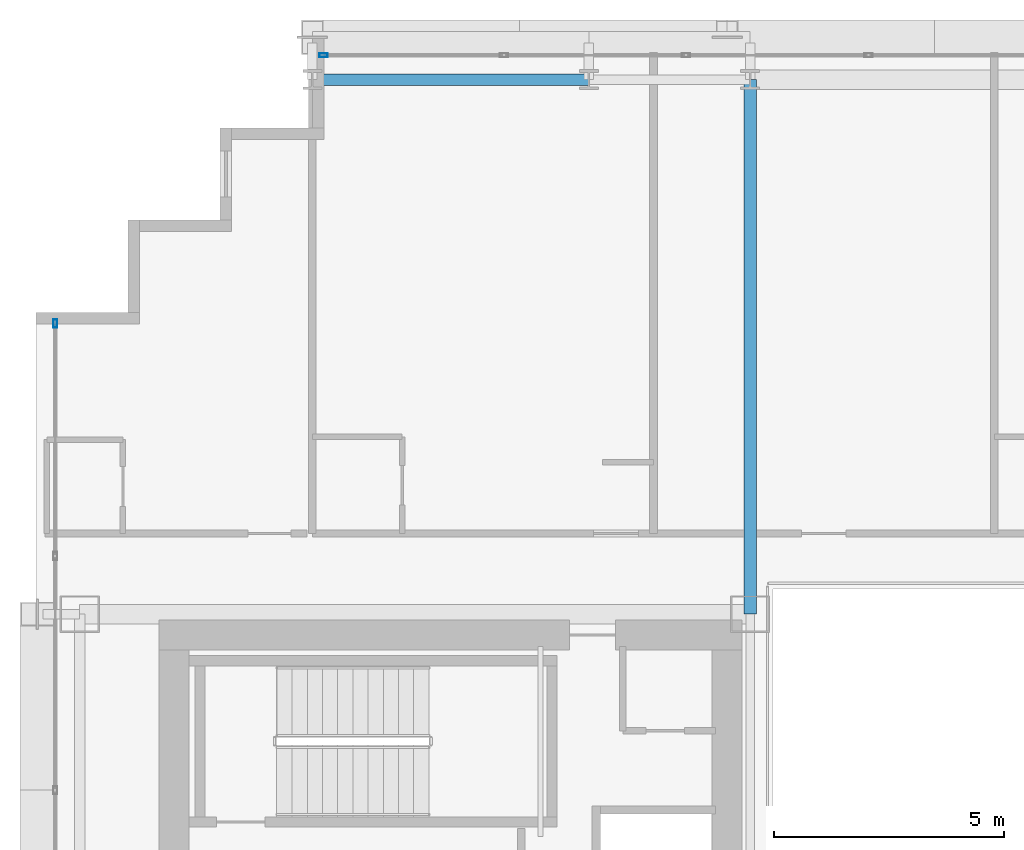
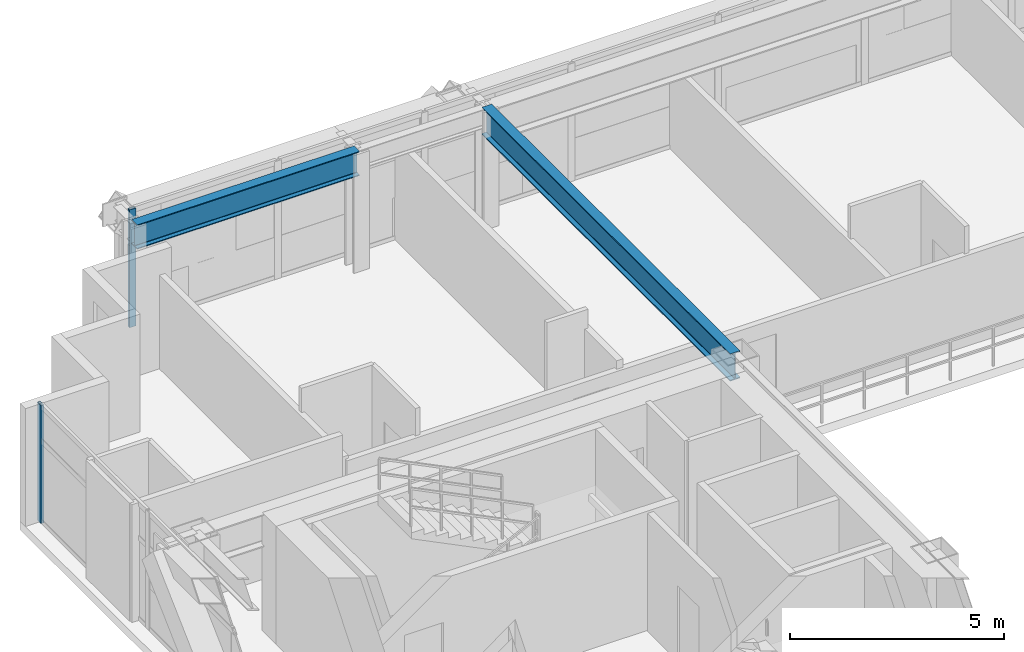
# One storey, part 17 of 35: 2 beams, 2 members, 2 elements without a shape of their own.
"""IFC4 building model written with IfcOpenShell, lengths in metres."""

from ifc_helpers import new_model, si_unit, direction, frame, origin, origin_2d, place, context, subcontext, project, spatial, hollow_rectangle, i_section, extrude, source, transform, mapped, material, layer, layer_set, material_profile, profile_set, type_object, element, aggregate, save


model = new_model("IFC4")

# Units and contexts
model_context = context("Model", 3, precision=1e-05, world=origin(), true_north=direction((0.0, 1.0)))
body_context = subcontext(model_context, "Body", "Model", "MODEL_VIEW")
ifc_project = project(units=[si_unit("LENGTHUNIT", "METRE"), si_unit("AREAUNIT", "SQUARE_METRE"), si_unit("VOLUMEUNIT", "CUBIC_METRE"), si_unit("PLANEANGLEUNIT", "RADIAN"), si_unit("MASSUNIT", "GRAM", prefix="KILO")], contexts=[model_context])

# Site, building, storey
site_placement = place(None, origin())
site = spatial("IfcSite", under=ifc_project, at=site_placement, CompositionType="ELEMENT")
building_placement = place(site_placement, origin())
building = spatial("IfcBuilding", under=site, at=building_placement, Name="Ocotamira Hotel", CompositionType="ELEMENT")
storey_placement = place(building_placement, frame((0.0, 0.0, 115.199951171875)))
storey = spatial("IfcBuildingStorey", under=building, at=storey_placement, Name="L28", CompositionType="ELEMENT", Elevation=115.199951171875)

# Beams
ifc_material_1 = material(Name="Steel ASTM A992 Grade 50", Category="steel")
ifc_material_profile_1 = material_profile(ifc_material_1, i_section(OverallWidth=0.256103515625, OverallDepth=0.693115234375, WebThickness=0.014404296875, FlangeThickness=0.023681640625, FilletRadius=0.01611328125, at=origin_2d()), Name="W27X114")
ifc_profile_set_1 = profile_set([ifc_material_profile_1], Name="Steel ASTM A992 Grade 50")
beam_type_1 = type_object("IfcBeamType", Name="BM-PRIM-W27X114", PredefinedType="BEAM", material=ifc_profile_set_1)
shared_shape_1 = source(origin(), body_context, "Body", "SweptSolid", [
    extrude(i_section(OverallWidth=0.256103515625, OverallDepth=0.693115234375, WebThickness=0.014404296875, FlangeThickness=0.023681640625, FilletRadius=0.01611328125, at=origin_2d()), origin(), (0.0, 0.0, 1.0), 6.0),
])
beam_1_placement = place(storey_placement, frame((14.0, 49.050048828125, 3.013427734375), z_axis=(1.0, 0.0, 0.0), x_axis=(0.0, 1.0, 0.0)))
element("IfcBeam", 1, at=beam_1_placement, inside=storey, type_object=beam_type_1, Name="L28 Girder Y49.05 X14-20", PredefinedType="BEAM", context=body_context, shape_type="MappedRepresentation", body=[
    mapped(shared_shape_1, transform((0.0, 0.0, 0.0), scale=1.0)),
])
ifc_material_profile_2 = material_profile(ifc_material_1, i_section(OverallWidth=0.26611328125, OverallDepth=0.779052734375, WebThickness=0.0166015625, FlangeThickness=0.030029296875, FilletRadius=0.01806640625, at=origin_2d()), Name="W30X148")
ifc_profile_set_2 = profile_set([ifc_material_profile_2], Name="Steel ASTM A992 Grade 50")
beam_type_2 = type_object("IfcBeamType", Name="BM-GIRD-W30X148", PredefinedType="BEAM", material=ifc_profile_set_2)
shared_shape_2 = source(origin(), body_context, "Body", "SweptSolid", [
    extrude(i_section(OverallWidth=0.26611328125, OverallDepth=0.779052734375, WebThickness=0.0166015625, FlangeThickness=0.030029296875, FilletRadius=0.01806640625, at=origin_2d()), origin(), (0.0, 0.0, 1.0), 11.60009765625),
])
beam_2_placement = place(storey_placement, frame((23.5, 37.449951171875, 2.970458984375), z_axis=(0.0, 1.0, 0.0), x_axis=(-1.0, 0.0, 0.0)))
element("IfcBeam", 2, at=beam_2_placement, inside=storey, type_object=beam_type_2, Name="L28 Beam X23.5 Y37.45-49.05", PredefinedType="BEAM", context=body_context, shape_type="MappedRepresentation", body=[
    mapped(shared_shape_2, transform((0.0, 0.0, 0.0), scale=1.0)),
])

# Curtain wall, member
ifc_material_2 = material(Name="Anodised pale-metal aluminium and solar glass", Category="aluminium")
ifc_layer = layer(ifc_material_2, 0.179931640625)
ifc_layer_set = layer_set([ifc_layer], Name="Anodised pale-metal aluminium and solar glass")
curtain_wall_type = type_object("IfcCurtainWallType", Name="CW-SYS3-Z2", PredefinedType="NOTDEFINED", material=ifc_layer_set)
curtain_wall_1_placement = place(storey_placement, origin())
curtain_wall_1 = element("IfcCurtainWall", 3, at=curtain_wall_1_placement, inside=storey, type_object=curtain_wall_type, Name="L28 Curtain Wall CW-3 CW-L28-N", PredefinedType="NOTDEFINED")
ifc_material_3 = material(Name="Anodised pale-metal aluminium 6063-T6", Category="aluminium")
ifc_material_profile_3 = material_profile(ifc_material_3, hollow_rectangle(XDim=0.080078125, YDim=0.179931640625, WallThickness=0.006103515625, at=origin_2d()), Name="HSS180X80X6")
ifc_profile_set_3 = profile_set([ifc_material_profile_3], Name="Anodised pale-metal aluminium 6063-T6")
member_type = type_object("IfcMemberType", Name="CWM-180X75", PredefinedType="MULLION", material=ifc_profile_set_3)
shared_shape_3 = source(origin(), body_context, "Body", "SweptSolid", [
    extrude(hollow_rectangle(XDim=0.080078125, YDim=0.179931640625, WallThickness=0.006103515625, at=origin_2d()), origin(), (0.0, 0.0, 1.0), 3.360107421875),
])
member_1_placement = place(storey_placement, frame((14.239990234375, 49.580078125, 0.0), z_axis=(0.0, 0.0, 1.0), x_axis=(0.0, 1.0, 0.0)))
member_1 = element("IfcMember", 4, at=member_1_placement, type_object=member_type, Name="CW-3 mullion 1", PredefinedType="MULLION", context=body_context, shape_type="MappedRepresentation", body=[
    mapped(shared_shape_3, transform((0.0, 0.0, 0.0), scale=1.0)),
])
aggregate(curtain_wall_1, [member_1])

curtain_wall_2_placement = place(storey_placement, origin())
curtain_wall_2 = element("IfcCurtainWall", 5, at=curtain_wall_2_placement, inside=storey, type_object=curtain_wall_type, Name="L28 Curtain Wall CW-3 CW-L28-W", PredefinedType="NOTDEFINED")
member_2_placement = place(storey_placement, frame((8.419921875, 43.760009765625, 0.0), z_axis=(0.0, 0.0, 1.0), x_axis=(-1.0, 0.0, 0.0)))
member_2 = element("IfcMember", 6, at=member_2_placement, type_object=member_type, Name="CW-3 mullion 8", PredefinedType="MULLION", context=body_context, shape_type="MappedRepresentation", body=[
    mapped(shared_shape_3, transform((0.0, 0.0, 0.0), scale=1.0)),
])
aggregate(curtain_wall_2, [member_2])

save(model, "model.ifc")
